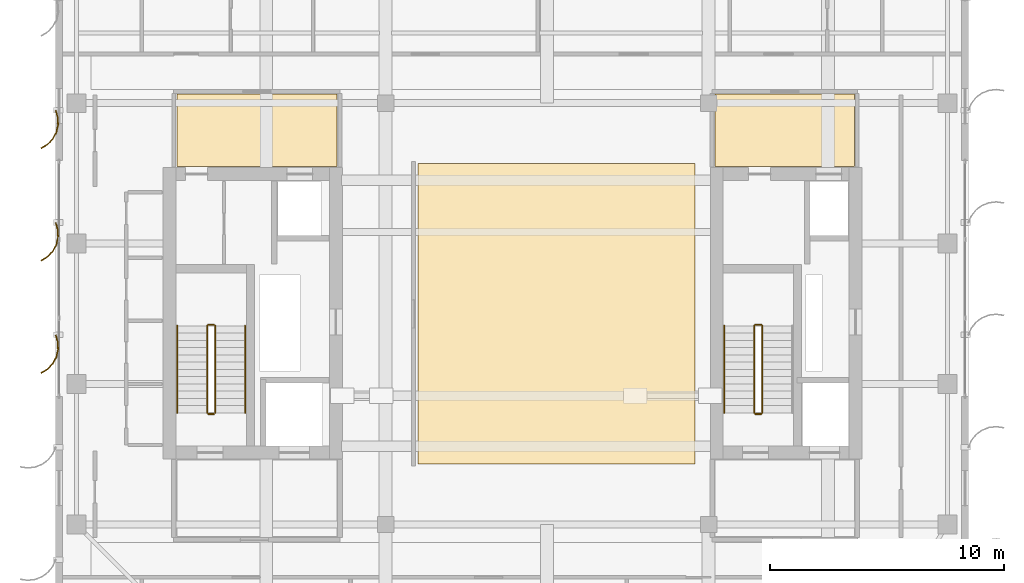
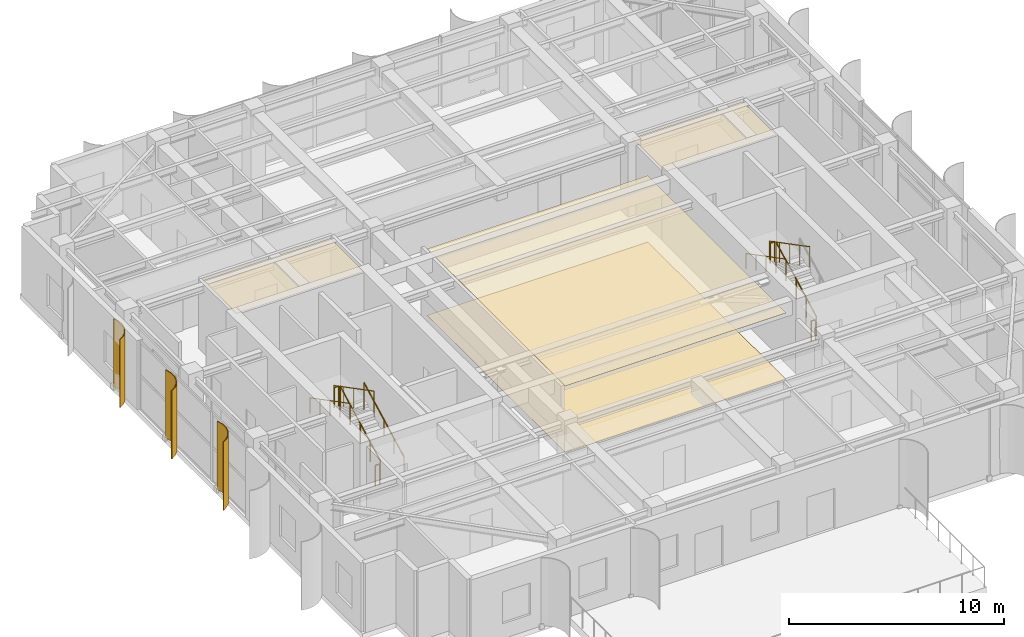
# One storey, part 18 of 19: 11 railings, 4 coverings, 3 shading devices.
"""IFC4 building model written with IfcOpenShell, lengths in metres."""

import ifcopenshell
import ifcopenshell.guid

model = None  # the IFC model being written
_history = None  # IfcOwnerHistory: only IFC2X3 demands one
_inside = {}  # id of a spatial element -> (the spatial element, [elements in it])
_under = {}  # id of a project, library or spatial element -> (it, [spatial elements below it])
_declared = {}  # id of a project -> (the project, [libraries it declares])
_typed = {}  # id of a type object -> (the type object, [elements of that type])
_made_of = {}  # id of a material, layer set ... -> (it, [elements and type objects made of it])


def new_model(schema):
    """Start an empty IFC model of exactly this schema.

    Asked for "IFC4X3", IfcOpenShell would pick the latest addendum, in which some entities
    have other attributes; the version numbers below select the first issue.
    IFC2X3 requires an IfcOwnerHistory on every rooted entity: one is made here for all.
    """
    global model, _history
    if schema == "IFC4X3":
        model = ifcopenshell.file(schema_version=(4, 3, 0, 0))
    else:
        model = ifcopenshell.file(schema=schema)
    _inside.clear()
    _under.clear()
    _declared.clear()
    _typed.clear()
    _made_of.clear()
    _history = None
    if model.schema == "IFC2X3":
        org = make("IfcOrganization", Name="unknown")
        user = make(
            "IfcPersonAndOrganization",
            ThePerson=make("IfcPerson", FamilyName="unknown"),
            TheOrganization=org,
        )
        app = make(
            "IfcApplication",
            ApplicationDeveloper=org,
            Version="unknown",
            ApplicationFullName="unknown",
            ApplicationIdentifier="unknown",
        )
        _history = make(
            "IfcOwnerHistory",
            OwningUser=user,
            OwningApplication=app,
            ChangeAction="ADDED",
            CreationDate=0,
        )
    return model


def make(cls, **values):
    """One entity of the class cls with the attributes given. An attribute that is None is left unset."""
    return model.create_entity(
        cls, **{name: value for name, value in values.items() if value is not None}
    )


def rooted(cls, **values):
    """An entity with a GlobalId (a new one), such as an element, a storey or a relation."""
    return make(cls, GlobalId=ifcopenshell.guid.new(), OwnerHistory=_history, **values)


def si_unit(unit_type, name, prefix=None):
    """IfcSIUnit, for example si_unit("LENGTHUNIT", "METRE", prefix="MILLI")."""
    return make("IfcSIUnit", UnitType=unit_type, Prefix=prefix, Name=name)


def assignment(units):
    """IfcUnitAssignment: the units of a project."""
    return None if units is None else make("IfcUnitAssignment", Units=units)


def point(xyz):
    """IfcCartesianPoint."""
    return None if xyz is None else make("IfcCartesianPoint", Coordinates=xyz)


def direction(xyz):
    """IfcDirection."""
    return None if xyz is None else make("IfcDirection", DirectionRatios=xyz)


def frame(location, z_axis=None, x_axis=None):
    """IfcAxis2Placement3D, a coordinate frame: its origin and axes. An axis left out is left unset."""
    return make(
        "IfcAxis2Placement3D",
        Location=point(location),
        Axis=direction(z_axis),
        RefDirection=direction(x_axis),
    )


def frame_2d(location, x_axis=None):
    """IfcAxis2Placement2D, a coordinate frame in the plane: its origin and x axis."""
    return make(
        "IfcAxis2Placement2D", Location=point(location), RefDirection=direction(x_axis)
    )


def origin():
    """The frame at (0, 0, 0) with its axes left unset."""
    return frame((0.0, 0.0, 0.0))


def origin_2d():
    """The frame at (0, 0) in the plane with its x axis left unset."""
    return frame_2d((0.0, 0.0))


def place(relative_to, where):
    """IfcLocalPlacement: puts the frame where relative to a parent placement (None: the world)."""
    return make(
        "IfcLocalPlacement", PlacementRelTo=relative_to, RelativePlacement=where
    )


def context(
    kind, dimensions, precision=None, world=None, true_north=None, identifier=None
):
    """IfcGeometricRepresentationContext, for example the 3D "Model" context."""
    return make(
        "IfcGeometricRepresentationContext",
        ContextIdentifier=identifier,
        ContextType=kind,
        CoordinateSpaceDimension=dimensions,
        Precision=precision,
        WorldCoordinateSystem=world,
        TrueNorth=true_north,
    )


def subcontext(parent, identifier, kind, view, scale=None):
    """IfcGeometricRepresentationSubContext, for example "Body" below "Model"."""
    return make(
        "IfcGeometricRepresentationSubContext",
        ContextIdentifier=identifier,
        ContextType=kind,
        ParentContext=parent,
        TargetScale=scale,
        TargetView=view,
    )


def project(units=None, contexts=None):
    """IfcProject with its units and contexts."""
    return rooted(
        "IfcProject",
        Name="project",
        RepresentationContexts=contexts,
        UnitsInContext=assignment(units),
    )


def spatial(cls, under=None, at=None, **own):
    """A site, building, storey or space (cls), placed at a placement, below another one or the project."""
    s = rooted(cls, ObjectPlacement=at, **own)
    if under is not None:
        _under.setdefault(under.id(), (under, []))[1].append(s)
    return s


def polyline(points):
    """IfcPolyline through the points."""
    return make("IfcPolyline", Points=[point(p) for p in points])


def profile(cls, at=None, kind="AREA", **sizes):
    """A parametric profile (cls). Its sizes go by their IFC names, for example OverallWidth=200.0."""
    return make(cls, ProfileType=kind, Position=at, **sizes)


def circle(**sizes):
    """IfcCircleProfileDef."""
    return profile("IfcCircleProfileDef", **sizes)


def outline(outer, holes=None, kind="AREA"):
    """IfcArbitraryClosedProfileDef: a profile drawn as a closed curve; with holes, ...WithVoids."""
    if holes is None:
        return make("IfcArbitraryClosedProfileDef", ProfileType=kind, OuterCurve=outer)
    return make(
        "IfcArbitraryProfileDefWithVoids",
        ProfileType=kind,
        OuterCurve=outer,
        InnerCurves=holes,
    )


def extrude(swept, where, along, depth):
    """IfcExtrudedAreaSolid: the profile swept, set in the frame where, extruded along a direction by depth."""
    return make(
        "IfcExtrudedAreaSolid",
        SweptArea=swept,
        Position=where,
        ExtrudedDirection=direction(along),
        Depth=depth,
    )


def shape(context_of_items, identifier, shape_type, items):
    """IfcShapeRepresentation: the items that make up one representation, for example the "Body"."""
    return make(
        "IfcShapeRepresentation",
        ContextOfItems=context_of_items,
        RepresentationIdentifier=identifier,
        RepresentationType=shape_type,
        Items=items,
    )


def source(mapping_origin, context_of_items, identifier, shape_type, items):
    """IfcRepresentationMap: a shape defined once, which mapped items show again and again."""
    return make(
        "IfcRepresentationMap",
        MappingOrigin=mapping_origin,
        MappedRepresentation=shape(context_of_items, identifier, shape_type, items),
    )


def transform(
    local_origin,
    x_axis=None,
    y_axis=None,
    z_axis=None,
    scale=None,
    scale2=None,
    scale3=None,
    uniform=True,
):
    """IfcCartesianTransformationOperator3D, or its non-uniform kind. x_axis, y_axis, z_axis: its Axis1, 2, 3."""
    if uniform:
        return make(
            "IfcCartesianTransformationOperator3D",
            Axis1=direction(x_axis),
            Axis2=direction(y_axis),
            LocalOrigin=point(local_origin),
            Scale=scale,
            Axis3=direction(z_axis),
        )
    return make(
        "IfcCartesianTransformationOperator3DnonUniform",
        Axis1=direction(x_axis),
        Axis2=direction(y_axis),
        LocalOrigin=point(local_origin),
        Scale=scale,
        Axis3=direction(z_axis),
        Scale2=scale2,
        Scale3=scale3,
    )


def mapped(mapping_source, mapping_target):
    """IfcMappedItem: shows the shape of a source again, moved by a transform."""
    return make(
        "IfcMappedItem", MappingSource=mapping_source, MappingTarget=mapping_target
    )


def material(Name=None, Category=None):
    """IfcMaterial."""
    return make("IfcMaterial", Name=Name, Category=Category)


def layer(
    of_material, thickness, ventilated=None, Name=None, Category=None, Priority=None
):
    """IfcMaterialLayer: one layer of a wall or slab, of a material (None: an air gap)."""
    return make(
        "IfcMaterialLayer",
        Material=of_material,
        LayerThickness=thickness,
        IsVentilated=ventilated,
        Name=Name,
        Category=Category,
        Priority=Priority,
    )


def layer_set(layers, Name=None):
    """IfcMaterialLayerSet."""
    return make("IfcMaterialLayerSet", MaterialLayers=layers, LayerSetName=Name)


def made_of(thing, what):
    """Note that an element or type object is made of a material, layer set ...; save() writes the relation."""
    if what is not None:
        _made_of.setdefault(what.id(), (what, []))[1].append(thing)
    return thing


def type_object(cls, material=None, **own):
    """A type object (cls), such as IfcWallType, which elements share."""
    return made_of(rooted(cls, **own), material)


def element(
    cls,
    number,
    at=None,
    inside=None,
    cuts=None,
    type_object=None,
    material=None,
    context=None,
    identifier="Body",
    shape_type=None,
    held_by="IfcProductDefinitionShape",
    body=None,
    shapes=None,
    **own,
):
    """One element of the class cls, such as IfcWall. Its Tag is "e" and its number.

    at: its placement. inside: the storey or other place that contains it. cuts: it is an
    opening in that element (IfcRelVoidsElement). A single representation is given by context,
    identifier, shape_type and body (its items); several are given by shapes. held_by: the class
    of the entity that holds the representations. save() writes the other relations.
    """
    e = rooted(cls, Tag="e%d" % number, ObjectPlacement=at, **own)
    if body is not None:
        shapes = [shape(context, identifier, shape_type, body)]
    if shapes is not None:
        e.Representation = make(held_by, Representations=shapes)
    if inside is not None:
        _inside.setdefault(inside.id(), (inside, []))[1].append(e)
    if cuts is not None:
        rooted(
            "IfcRelVoidsElement", RelatingBuildingElement=cuts, RelatedOpeningElement=e
        )
    if type_object is not None:
        _typed.setdefault(type_object.id(), (type_object, []))[1].append(e)
    return made_of(e, material)


def aggregate(whole, parts):
    """IfcRelAggregates: a whole, such as a stair, and the parts it consists of."""
    return rooted("IfcRelAggregates", RelatingObject=whole, RelatedObjects=parts)


def save(model, path):
    """Write the relations noted so far, then the file.

    IfcRelAggregates (storeys below a building ...), IfcRelContainedInSpatialStructure (elements
    in a storey), IfcRelDefinesByType, IfcRelAssociatesMaterial and IfcRelDeclares: one each for
    every whole, place, type object, material and project.
    """
    for whole, parts in _under.values():
        aggregate(whole, parts)
    for where, things in _inside.values():
        rooted(
            "IfcRelContainedInSpatialStructure",
            RelatedElements=things,
            RelatingStructure=where,
        )
    for kind, things in _typed.values():
        rooted("IfcRelDefinesByType", RelatedObjects=things, RelatingType=kind)
    for what, things in _made_of.values():
        rooted("IfcRelAssociatesMaterial", RelatedObjects=things, RelatingMaterial=what)
    for by, libraries in _declared.values():
        rooted("IfcRelDeclares", RelatingContext=by, RelatedDefinitions=libraries)
    model.write(path)


model = new_model("IFC4")

# Units and contexts
model_context = context("Model", 3, precision=1e-05, world=origin(), true_north=direction((0.0, 1.0)))
body_context = subcontext(model_context, "Body", "Model", "MODEL_VIEW")
ifc_project = project(units=[si_unit("LENGTHUNIT", "METRE"), si_unit("AREAUNIT", "SQUARE_METRE"), si_unit("VOLUMEUNIT", "CUBIC_METRE"), si_unit("PLANEANGLEUNIT", "RADIAN"), si_unit("MASSUNIT", "GRAM", prefix="KILO")], contexts=[model_context])

# Site, building, storey
site_placement = place(None, origin())
site = spatial("IfcSite", under=ifc_project, at=site_placement, CompositionType="ELEMENT")
building_placement = place(site_placement, origin())
building = spatial("IfcBuilding", under=site, at=building_placement, Name="Khoralis Quay Care Tower", CompositionType="ELEMENT")
storey_placement = place(building_placement, frame((0.0, 0.0, 285.300048828125)))
storey = spatial("IfcBuildingStorey", under=building, at=storey_placement, Name="L75", CompositionType="ELEMENT", Elevation=285.300048828125)

# Coverings
ifc_material_1 = material(Name="Mineral-fibre acoustic ceiling tile")
ifc_layer_1 = layer(ifc_material_1, 0.01806640625)
ifc_layer_set_1 = layer_set([ifc_layer_1], Name="Mineral-fibre acoustic ceiling tile")
covering_type_1 = type_object("IfcCoveringType", Name="COV-CEIL-AC18", PredefinedType="CEILING", material=ifc_layer_set_1)
covering_1_placement = place(storey_placement, frame((0.0, 0.0, 3.77197265625)))
element("IfcCovering", 1, at=covering_1_placement, inside=storey, type_object=covering_type_1, Name="Suspended Acoustic Ceiling SP-L75-LLOB-W", PredefinedType="CEILING", context=body_context, shape_type="SweptSolid", body=[
    extrude(outline(polyline([(8.179931640625, 27.300048828125), (15.02001953125, 27.300048828125), (15.02001953125, 30.389892578125), (8.179931640625, 30.389892578125), (8.179931640625, 27.300048828125)])), origin(), (0.0, 0.0, 1.0), 0.01806640625),
])
covering_2_placement = place(storey_placement, frame((0.0, 0.0, 3.77197265625)))
element("IfcCovering", 2, at=covering_2_placement, inside=storey, type_object=covering_type_1, Name="Suspended Acoustic Ceiling SP-L75-LLOB-E", PredefinedType="CEILING", context=body_context, shape_type="SweptSolid", body=[
    extrude(outline(polyline([(31.179931640625, 27.300048828125), (37.1201171875, 27.300048828125), (37.1201171875, 30.389892578125), (31.179931640625, 30.389892578125), (31.179931640625, 27.300048828125)])), origin(), (0.0, 0.0, 1.0), 0.01806640625),
])
covering_3_placement = place(storey_placement, frame((0.0, 0.0, 3.77197265625)))
element("IfcCovering", 3, at=covering_3_placement, inside=storey, type_object=covering_type_1, Name="Suspended Acoustic Ceiling SP-L75-SKYLNG", PredefinedType="CEILING", context=body_context, shape_type="SweptSolid", body=[
    extrude(outline(polyline([(18.47998046875, 14.580078125), (30.320068359375, 14.580078125), (30.320068359375, 27.419921875), (18.47998046875, 27.419921875), (18.47998046875, 14.580078125)])), origin(), (0.0, 0.0, 1.0), 0.01806640625),
])
ifc_material_2 = material(Name="Porcelain and non-slip vinyl flooring")
ifc_layer_2 = layer(ifc_material_2, 0.02001953125)
ifc_layer_set_2 = layer_set([ifc_layer_2], Name="Porcelain and non-slip vinyl flooring")
covering_type_2 = type_object("IfcCoveringType", Name="COV-FLOOR-20", PredefinedType="FLOORING", material=ifc_layer_set_2)
covering_4_placement = place(storey_placement, origin())
element("IfcCovering", 4, at=covering_4_placement, inside=storey, type_object=covering_type_2, Name="Resilient Healthcare Flooring SP-L75-SKYLNG", PredefinedType="FLOORING", context=body_context, shape_type="SweptSolid", body=[
    extrude(outline(polyline([(18.47998046875, 14.580078125), (30.320068359375, 14.580078125), (30.320068359375, 27.419921875), (18.47998046875, 27.419921875), (18.47998046875, 14.580078125)])), origin(), (0.0, 0.0, 1.0), 0.02001953125),
])

# Railings
ifc_material_3 = material(Name="Brushed stainless steel", Category="steel")
railing_type_1 = type_object("IfcRailingType", Name="RL-GUARD-1150", PredefinedType="GUARDRAIL", material=ifc_material_3)
railing_1_placement = place(storey_placement, frame((9.820068359375, 16.77001953125, 0.161376953125)))
element("IfcRailing", 5, at=railing_1_placement, inside=storey, type_object=railing_type_1, Name="L75 ST-T1 stair guard 1", PredefinedType="GUARDRAIL", context=body_context, shape_type="SweptSolid", body=[
    extrude(circle(Radius=0.02392578125, at=origin_2d()), frame((0.0, 0.0, 1.1259765625), z_axis=(0.0, 0.886817194535, 0.462120399331), x_axis=(-1.0, 0.0, 0.0)), (0.0, 0.0, 1.0), 4.19482421875),
    extrude(circle(Radius=0.02099609375, at=origin_2d()), origin(), (0.0, 0.0, 1.0), 1.101806640625),
    extrude(circle(Radius=0.02099609375, at=origin_2d()), frame((0.0, 0.929931640625, 0.484619140625)), (0.0, 0.0, 1.0), 1.101806640625),
    extrude(circle(Radius=0.02099609375, at=origin_2d()), frame((0.0, 1.85986328125, 0.96923828125)), (0.0, 0.0, 1.0), 1.101806640625),
    extrude(circle(Radius=0.02099609375, at=origin_2d()), frame((0.0, 2.7900390625, 1.453857421875)), (0.0, 0.0, 1.0), 1.101806640625),
    extrude(circle(Radius=0.02099609375, at=origin_2d()), frame((0.0, 3.719970703125, 1.9384765625)), (0.0, 0.0, 1.0), 1.101806640625),
])
railing_2_placement = place(storey_placement, frame((9.77001953125, 20.5400390625, 2.099853515625)))
element("IfcRailing", 6, at=railing_2_placement, inside=storey, type_object=railing_type_1, Name="L75 ST-T1 stair guard 2", PredefinedType="GUARDRAIL", context=body_context, shape_type="SweptSolid", body=[
    extrude(circle(Radius=0.02392578125, at=origin_2d()), frame((0.0, 0.0, 1.1259765625), z_axis=(-1.0, 0.0, 0.0), x_axis=(0.0, -1.0, 0.0)), (0.0, 0.0, 1.0), 0.239990234375),
    extrude(circle(Radius=0.02099609375, at=origin_2d()), origin(), (0.0, 0.0, 1.0), 1.101806640625),
    extrude(circle(Radius=0.02099609375, at=origin_2d()), frame((-0.239990234375, 0.0, 0.0)), (0.0, 0.0, 1.0), 1.101806640625),
])
railing_3_placement = place(storey_placement, frame((9.47998046875, 20.489990234375, 2.261474609375)))
element("IfcRailing", 7, at=railing_3_placement, inside=storey, type_object=railing_type_1, Name="L75 ST-T1 stair guard 3", PredefinedType="GUARDRAIL", context=body_context, shape_type="SweptSolid", body=[
    extrude(circle(Radius=0.02392578125, at=origin_2d()), frame((0.0, 0.0, 1.1259765625), z_axis=(0.0, -0.886817194535, 0.462120399331), x_axis=(1.0, 0.0, 0.0)), (0.0, 0.0, 1.0), 4.19482421875),
    extrude(circle(Radius=0.02099609375, at=origin_2d()), origin(), (0.0, 0.0, 1.0), 1.101806640625),
    extrude(circle(Radius=0.02099609375, at=origin_2d()), frame((0.0, -0.929931640625, 0.484619140625)), (0.0, 0.0, 1.0), 1.101806640625),
    extrude(circle(Radius=0.02099609375, at=origin_2d()), frame((0.0, -1.85986328125, 0.96923828125)), (0.0, 0.0, 1.0), 1.101806640625),
    extrude(circle(Radius=0.02099609375, at=origin_2d()), frame((0.0, -2.7900390625, 1.453857421875)), (0.0, 0.0, 1.0), 1.101806640625),
    extrude(circle(Radius=0.02099609375, at=origin_2d()), frame((0.0, -3.719970703125, 1.9384765625)), (0.0, 0.0, 1.0), 1.101806640625),
])
railing_4_placement = place(storey_placement, frame((9.77001953125, 16.719970703125, 0.0)))
element("IfcRailing", 8, at=railing_4_placement, inside=storey, type_object=railing_type_1, Name="L75 ST-T1 stair guard 4", PredefinedType="GUARDRAIL", context=body_context, shape_type="SweptSolid", body=[
    extrude(circle(Radius=0.02392578125, at=origin_2d()), frame((0.0, 0.0, 1.1259765625), z_axis=(-1.0, 0.0, 0.0), x_axis=(0.0, -1.0, 0.0)), (0.0, 0.0, 1.0), 0.239990234375),
    extrude(circle(Radius=0.02099609375, at=origin_2d()), origin(), (0.0, 0.0, 1.0), 1.101806640625),
    extrude(circle(Radius=0.02099609375, at=origin_2d()), frame((-0.239990234375, 0.0, 0.0)), (0.0, 0.0, 1.0), 1.101806640625),
])
railing_5_placement = place(storey_placement, frame((33.18994140625, 16.77001953125, 0.161376953125)))
element("IfcRailing", 9, at=railing_5_placement, inside=storey, type_object=railing_type_1, Name="L75 ST-T2 stair guard 1", PredefinedType="GUARDRAIL", context=body_context, shape_type="SweptSolid", body=[
    extrude(circle(Radius=0.02392578125, at=origin_2d()), frame((0.0, 0.0, 1.1259765625), z_axis=(0.0, 0.886817194535, 0.462120399331), x_axis=(-1.0, 0.0, 0.0)), (0.0, 0.0, 1.0), 4.19482421875),
    extrude(circle(Radius=0.02099609375, at=origin_2d()), origin(), (0.0, 0.0, 1.0), 1.101806640625),
    extrude(circle(Radius=0.02099609375, at=origin_2d()), frame((0.0, 0.929931640625, 0.484619140625)), (0.0, 0.0, 1.0), 1.101806640625),
    extrude(circle(Radius=0.02099609375, at=origin_2d()), frame((0.0, 1.85986328125, 0.96923828125)), (0.0, 0.0, 1.0), 1.101806640625),
    extrude(circle(Radius=0.02099609375, at=origin_2d()), frame((0.0, 2.7900390625, 1.453857421875)), (0.0, 0.0, 1.0), 1.101806640625),
    extrude(circle(Radius=0.02099609375, at=origin_2d()), frame((0.0, 3.719970703125, 1.9384765625)), (0.0, 0.0, 1.0), 1.101806640625),
])
railing_6_placement = place(storey_placement, frame((33.139892578125, 20.5400390625, 2.099853515625)))
element("IfcRailing", 10, at=railing_6_placement, inside=storey, type_object=railing_type_1, Name="L75 ST-T2 stair guard 2", PredefinedType="GUARDRAIL", context=body_context, shape_type="SweptSolid", body=[
    extrude(circle(Radius=0.02392578125, at=origin_2d()), frame((0.0, 0.0, 1.1259765625), z_axis=(-1.0, 0.0, 0.0), x_axis=(0.0, -1.0, 0.0)), (0.0, 0.0, 1.0), 0.239990234375),
    extrude(circle(Radius=0.02099609375, at=origin_2d()), origin(), (0.0, 0.0, 1.0), 1.101806640625),
    extrude(circle(Radius=0.02099609375, at=origin_2d()), frame((-0.239990234375, 0.0, 0.0)), (0.0, 0.0, 1.0), 1.101806640625),
])
railing_7_placement = place(storey_placement, frame((32.85009765625, 20.489990234375, 2.261474609375)))
element("IfcRailing", 11, at=railing_7_placement, inside=storey, type_object=railing_type_1, Name="L75 ST-T2 stair guard 3", PredefinedType="GUARDRAIL", context=body_context, shape_type="SweptSolid", body=[
    extrude(circle(Radius=0.02392578125, at=origin_2d()), frame((0.0, 0.0, 1.1259765625), z_axis=(0.0, -0.886817194535, 0.462120399331), x_axis=(1.0, 0.0, 0.0)), (0.0, 0.0, 1.0), 4.19482421875),
    extrude(circle(Radius=0.02099609375, at=origin_2d()), origin(), (0.0, 0.0, 1.0), 1.101806640625),
    extrude(circle(Radius=0.02099609375, at=origin_2d()), frame((0.0, -0.929931640625, 0.484619140625)), (0.0, 0.0, 1.0), 1.101806640625),
    extrude(circle(Radius=0.02099609375, at=origin_2d()), frame((0.0, -1.85986328125, 0.96923828125)), (0.0, 0.0, 1.0), 1.101806640625),
    extrude(circle(Radius=0.02099609375, at=origin_2d()), frame((0.0, -2.7900390625, 1.453857421875)), (0.0, 0.0, 1.0), 1.101806640625),
    extrude(circle(Radius=0.02099609375, at=origin_2d()), frame((0.0, -3.719970703125, 1.9384765625)), (0.0, 0.0, 1.0), 1.101806640625),
])
railing_8_placement = place(storey_placement, frame((33.139892578125, 16.719970703125, 0.0)))
element("IfcRailing", 12, at=railing_8_placement, inside=storey, type_object=railing_type_1, Name="L75 ST-T2 stair guard 4", PredefinedType="GUARDRAIL", context=body_context, shape_type="SweptSolid", body=[
    extrude(circle(Radius=0.02392578125, at=origin_2d()), frame((0.0, 0.0, 1.1259765625), z_axis=(-1.0, 0.0, 0.0), x_axis=(0.0, -1.0, 0.0)), (0.0, 0.0, 1.0), 0.239990234375),
    extrude(circle(Radius=0.02099609375, at=origin_2d()), origin(), (0.0, 0.0, 1.0), 1.101806640625),
    extrude(circle(Radius=0.02099609375, at=origin_2d()), frame((-0.239990234375, 0.0, 0.0)), (0.0, 0.0, 1.0), 1.101806640625),
])
railing_type_2 = type_object("IfcRailingType", Name="RL-HAND-900", PredefinedType="HANDRAIL", material=ifc_material_3)
railing_9_placement = place(storey_placement, frame((11.10009765625, 16.77001953125, 0.161376953125)))
element("IfcRailing", 13, at=railing_9_placement, inside=storey, type_object=railing_type_2, Name="L75 ST-T1 stair handrail 1", PredefinedType="HANDRAIL", context=body_context, shape_type="SweptSolid", body=[
    extrude(circle(Radius=0.02392578125, at=origin_2d()), frame((0.0, 0.0, 0.8759765625), z_axis=(0.0, 0.886817194535, 0.462120399331), x_axis=(-1.0, 0.0, 0.0)), (0.0, 0.0, 1.0), 4.19482421875),
    extrude(circle(Radius=0.02099609375, at=origin_2d()), origin(), (0.0, 0.0, 1.0), 0.851806640625),
    extrude(circle(Radius=0.02099609375, at=origin_2d()), frame((0.0, 0.929931640625, 0.484619140625)), (0.0, 0.0, 1.0), 0.851806640625),
    extrude(circle(Radius=0.02099609375, at=origin_2d()), frame((0.0, 1.85986328125, 0.96923828125)), (0.0, 0.0, 1.0), 0.851806640625),
    extrude(circle(Radius=0.02099609375, at=origin_2d()), frame((0.0, 2.7900390625, 1.453857421875)), (0.0, 0.0, 1.0), 0.851806640625),
    extrude(circle(Radius=0.02099609375, at=origin_2d()), frame((0.0, 3.719970703125, 1.9384765625)), (0.0, 0.0, 1.0), 0.851806640625),
])
for number, where, name in (
    (14, (8.199951171875, 20.489990234375, 2.261474609375), "L75 ST-T1 stair handrail 2"),
    (15, (31.570068359375, 20.489990234375, 2.261474609375), "L75 ST-T2 stair handrail 2"),
):
    element("IfcRailing", number, at=place(storey_placement, frame(where)), inside=storey, type_object=railing_type_2, Name=name, PredefinedType="HANDRAIL", context=body_context, shape_type="SweptSolid", body=[
        extrude(circle(Radius=0.02392578125, at=origin_2d()), frame((0.0, 0.0, 0.8759765625), z_axis=(0.0, -0.886817194535, 0.462120399331), x_axis=(1.0, 0.0, 0.0)), (0.0, 0.0, 1.0), 4.19482421875),
        extrude(circle(Radius=0.02099609375, at=origin_2d()), origin(), (0.0, 0.0, 1.0), 0.851806640625),
        extrude(circle(Radius=0.02099609375, at=origin_2d()), frame((0.0, -0.929931640625, 0.484619140625)), (0.0, 0.0, 1.0), 0.851806640625),
        extrude(circle(Radius=0.02099609375, at=origin_2d()), frame((0.0, -1.85986328125, 0.96923828125)), (0.0, 0.0, 1.0), 0.851806640625),
        extrude(circle(Radius=0.02099609375, at=origin_2d()), frame((0.0, -2.7900390625, 1.453857421875)), (0.0, 0.0, 1.0), 0.851806640625),
        extrude(circle(Radius=0.02099609375, at=origin_2d()), frame((0.0, -3.719970703125, 1.9384765625)), (0.0, 0.0, 1.0), 0.851806640625),
    ])

# Shading devices
ifc_material_4 = material(Name="Brushed pale anodised aluminium", Category="aluminium")
ifc_layer_3 = layer(ifc_material_4, 0.044921875)
ifc_layer_set_3 = layer_set([ifc_layer_3], Name="Brushed pale anodised aluminium")
shading_device_type = type_object("IfcShadingDeviceType", Name="SHD-FIN-1250", PredefinedType="USERDEFINED", material=ifc_layer_set_3)
shared_shape = source(origin(), body_context, "Body", "SweptSolid", [
    extrude(outline(polyline([(0.0, 0.0), (-0.0927734375, 0.31298828125), (-0.101318359375, 0.63916015625), (-0.025146484375, 0.956298828125), (0.130615234375, 1.2431640625), (0.355224609375, 1.479736328125), (0.633544921875, 1.650390625), (0.65185546875, 1.609130859375), (0.383544921875, 1.44482421875), (0.1669921875, 1.216796875), (0.01708984375, 0.940185546875), (-0.056396484375, 0.63427734375), (-0.04833984375, 0.31982421875), (0.041015625, 0.018310546875), (0.0, 0.0)])), origin(), (0.0, 0.0, 1.0), 3.85986328125),
])
for number, where, z_axis, x_axis, name in (
    (16, (3.030029296875, 29.699951171875, 0.02001953125), (0.0, 0.0, 1.0), (-1.0, 0.0, 0.0), "L75 Curved Solar Fin P1E15-02"),
    (17, (3.030029296875, 24.89990234375, 0.02001953125), (0.0, 0.0, 1.0), (-1.0, 0.0, 0.0), "L75 Curved Solar Fin P1E15-03"),
    (18, (3.030029296875, 20.10009765625, 0.02001953125), (0.0, 0.0, 1.0), (-1.0, 0.0, 0.0), "L75 Curved Solar Fin P1E15-04"),
):
    element("IfcShadingDevice", number, at=place(storey_placement, frame(where, z_axis=z_axis, x_axis=x_axis)), inside=storey, type_object=shading_device_type, Name=name, ObjectType="FIN", PredefinedType="USERDEFINED", context=body_context, shape_type="MappedRepresentation", body=[
        mapped(shared_shape, transform((0.0, 0.0, 0.0), scale=1.0)),
    ])

save(model, "model.ifc")
